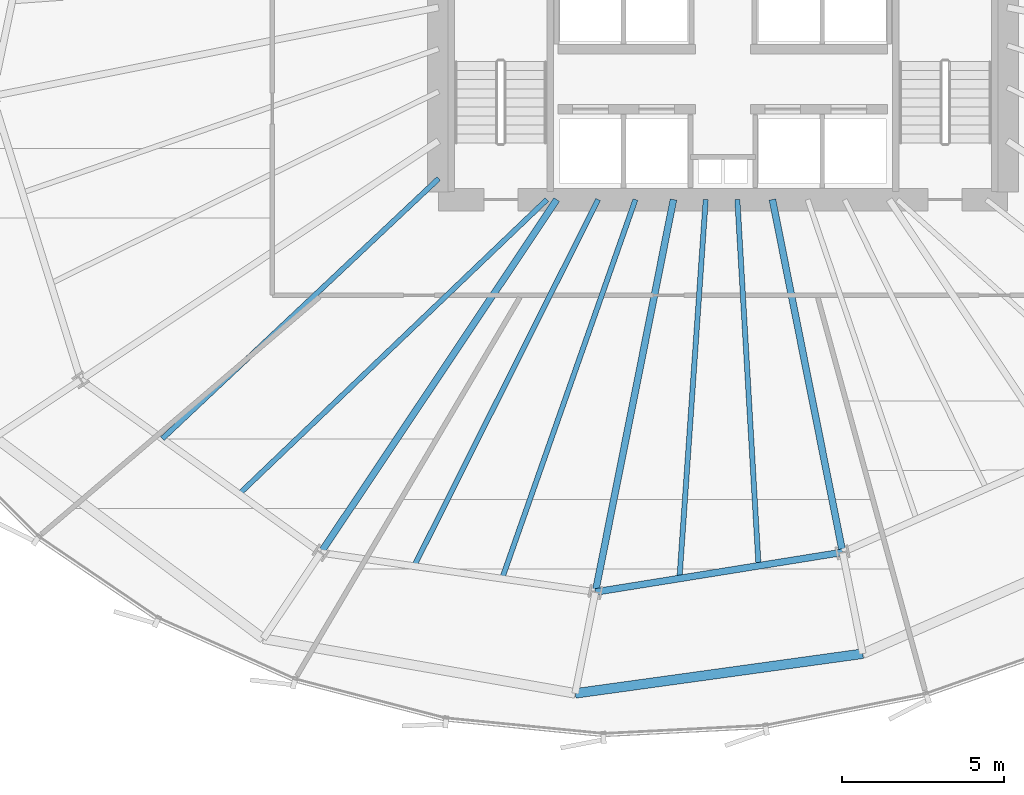
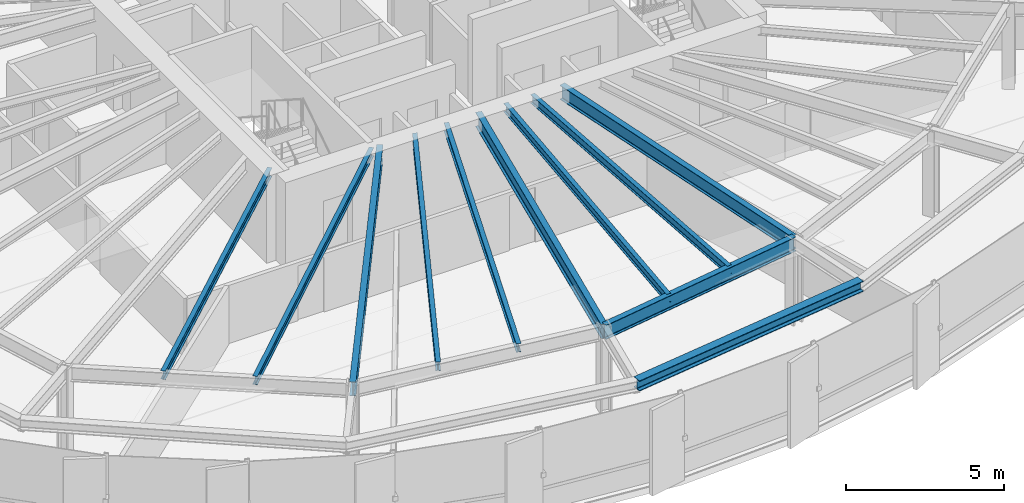
# One storey, part 6 of 35: 11 beams.
"""IFC4 building model written with IfcOpenShell, lengths in metres."""

import ifcopenshell
import ifcopenshell.guid

model = None  # the IFC model being written
_history = None  # IfcOwnerHistory: only IFC2X3 demands one
_inside = {}  # id of a spatial element -> (the spatial element, [elements in it])
_under = {}  # id of a project, library or spatial element -> (it, [spatial elements below it])
_declared = {}  # id of a project -> (the project, [libraries it declares])
_typed = {}  # id of a type object -> (the type object, [elements of that type])
_made_of = {}  # id of a material, layer set ... -> (it, [elements and type objects made of it])


def new_model(schema):
    """Start an empty IFC model of exactly this schema.

    Asked for "IFC4X3", IfcOpenShell would pick the latest addendum, in which some entities
    have other attributes; the version numbers below select the first issue.
    IFC2X3 requires an IfcOwnerHistory on every rooted entity: one is made here for all.
    """
    global model, _history
    if schema == "IFC4X3":
        model = ifcopenshell.file(schema_version=(4, 3, 0, 0))
    else:
        model = ifcopenshell.file(schema=schema)
    _inside.clear()
    _under.clear()
    _declared.clear()
    _typed.clear()
    _made_of.clear()
    _history = None
    if model.schema == "IFC2X3":
        org = make("IfcOrganization", Name="unknown")
        user = make(
            "IfcPersonAndOrganization",
            ThePerson=make("IfcPerson", FamilyName="unknown"),
            TheOrganization=org,
        )
        app = make(
            "IfcApplication",
            ApplicationDeveloper=org,
            Version="unknown",
            ApplicationFullName="unknown",
            ApplicationIdentifier="unknown",
        )
        _history = make(
            "IfcOwnerHistory",
            OwningUser=user,
            OwningApplication=app,
            ChangeAction="ADDED",
            CreationDate=0,
        )
    return model


def make(cls, **values):
    """One entity of the class cls with the attributes given. An attribute that is None is left unset."""
    return model.create_entity(
        cls, **{name: value for name, value in values.items() if value is not None}
    )


def rooted(cls, **values):
    """An entity with a GlobalId (a new one), such as an element, a storey or a relation."""
    return make(cls, GlobalId=ifcopenshell.guid.new(), OwnerHistory=_history, **values)


def si_unit(unit_type, name, prefix=None):
    """IfcSIUnit, for example si_unit("LENGTHUNIT", "METRE", prefix="MILLI")."""
    return make("IfcSIUnit", UnitType=unit_type, Prefix=prefix, Name=name)


def assignment(units):
    """IfcUnitAssignment: the units of a project."""
    return None if units is None else make("IfcUnitAssignment", Units=units)


def point(xyz):
    """IfcCartesianPoint."""
    return None if xyz is None else make("IfcCartesianPoint", Coordinates=xyz)


def direction(xyz):
    """IfcDirection."""
    return None if xyz is None else make("IfcDirection", DirectionRatios=xyz)


def frame(location, z_axis=None, x_axis=None):
    """IfcAxis2Placement3D, a coordinate frame: its origin and axes. An axis left out is left unset."""
    return make(
        "IfcAxis2Placement3D",
        Location=point(location),
        Axis=direction(z_axis),
        RefDirection=direction(x_axis),
    )


def frame_2d(location, x_axis=None):
    """IfcAxis2Placement2D, a coordinate frame in the plane: its origin and x axis."""
    return make(
        "IfcAxis2Placement2D", Location=point(location), RefDirection=direction(x_axis)
    )


def origin():
    """The frame at (0, 0, 0) with its axes left unset."""
    return frame((0.0, 0.0, 0.0))


def origin_2d():
    """The frame at (0, 0) in the plane with its x axis left unset."""
    return frame_2d((0.0, 0.0))


def place(relative_to, where):
    """IfcLocalPlacement: puts the frame where relative to a parent placement (None: the world)."""
    return make(
        "IfcLocalPlacement", PlacementRelTo=relative_to, RelativePlacement=where
    )


def context(
    kind, dimensions, precision=None, world=None, true_north=None, identifier=None
):
    """IfcGeometricRepresentationContext, for example the 3D "Model" context."""
    return make(
        "IfcGeometricRepresentationContext",
        ContextIdentifier=identifier,
        ContextType=kind,
        CoordinateSpaceDimension=dimensions,
        Precision=precision,
        WorldCoordinateSystem=world,
        TrueNorth=true_north,
    )


def subcontext(parent, identifier, kind, view, scale=None):
    """IfcGeometricRepresentationSubContext, for example "Body" below "Model"."""
    return make(
        "IfcGeometricRepresentationSubContext",
        ContextIdentifier=identifier,
        ContextType=kind,
        ParentContext=parent,
        TargetScale=scale,
        TargetView=view,
    )


def project(units=None, contexts=None):
    """IfcProject with its units and contexts."""
    return rooted(
        "IfcProject",
        Name="project",
        RepresentationContexts=contexts,
        UnitsInContext=assignment(units),
    )


def spatial(cls, under=None, at=None, **own):
    """A site, building, storey or space (cls), placed at a placement, below another one or the project."""
    s = rooted(cls, ObjectPlacement=at, **own)
    if under is not None:
        _under.setdefault(under.id(), (under, []))[1].append(s)
    return s


def profile(cls, at=None, kind="AREA", **sizes):
    """A parametric profile (cls). Its sizes go by their IFC names, for example OverallWidth=200.0."""
    return make(cls, ProfileType=kind, Position=at, **sizes)


def i_section(**sizes):
    """IfcIShapeProfileDef."""
    return profile("IfcIShapeProfileDef", **sizes)


def extrude(swept, where, along, depth):
    """IfcExtrudedAreaSolid: the profile swept, set in the frame where, extruded along a direction by depth."""
    return make(
        "IfcExtrudedAreaSolid",
        SweptArea=swept,
        Position=where,
        ExtrudedDirection=direction(along),
        Depth=depth,
    )


def shape(context_of_items, identifier, shape_type, items):
    """IfcShapeRepresentation: the items that make up one representation, for example the "Body"."""
    return make(
        "IfcShapeRepresentation",
        ContextOfItems=context_of_items,
        RepresentationIdentifier=identifier,
        RepresentationType=shape_type,
        Items=items,
    )


def source(mapping_origin, context_of_items, identifier, shape_type, items):
    """IfcRepresentationMap: a shape defined once, which mapped items show again and again."""
    return make(
        "IfcRepresentationMap",
        MappingOrigin=mapping_origin,
        MappedRepresentation=shape(context_of_items, identifier, shape_type, items),
    )


def transform(
    local_origin,
    x_axis=None,
    y_axis=None,
    z_axis=None,
    scale=None,
    scale2=None,
    scale3=None,
    uniform=True,
):
    """IfcCartesianTransformationOperator3D, or its non-uniform kind. x_axis, y_axis, z_axis: its Axis1, 2, 3."""
    if uniform:
        return make(
            "IfcCartesianTransformationOperator3D",
            Axis1=direction(x_axis),
            Axis2=direction(y_axis),
            LocalOrigin=point(local_origin),
            Scale=scale,
            Axis3=direction(z_axis),
        )
    return make(
        "IfcCartesianTransformationOperator3DnonUniform",
        Axis1=direction(x_axis),
        Axis2=direction(y_axis),
        LocalOrigin=point(local_origin),
        Scale=scale,
        Axis3=direction(z_axis),
        Scale2=scale2,
        Scale3=scale3,
    )


def mapped(mapping_source, mapping_target):
    """IfcMappedItem: shows the shape of a source again, moved by a transform."""
    return make(
        "IfcMappedItem", MappingSource=mapping_source, MappingTarget=mapping_target
    )


def material(Name=None, Category=None):
    """IfcMaterial."""
    return make("IfcMaterial", Name=Name, Category=Category)


def material_profile(
    of_material, cross_section, Name=None, Category=None, Priority=None
):
    """IfcMaterialProfile: a cross section and its material."""
    return make(
        "IfcMaterialProfile",
        Name=Name,
        Material=of_material,
        Profile=cross_section,
        Priority=Priority,
        Category=Category,
    )


def profile_set(profiles, Name=None, composite=None):
    """IfcMaterialProfileSet."""
    return make(
        "IfcMaterialProfileSet",
        Name=Name,
        MaterialProfiles=profiles,
        CompositeProfile=composite,
    )


def made_of(thing, what):
    """Note that an element or type object is made of a material, layer set ...; save() writes the relation."""
    if what is not None:
        _made_of.setdefault(what.id(), (what, []))[1].append(thing)
    return thing


def type_object(cls, material=None, **own):
    """A type object (cls), such as IfcWallType, which elements share."""
    return made_of(rooted(cls, **own), material)


def element(
    cls,
    number,
    at=None,
    inside=None,
    cuts=None,
    type_object=None,
    material=None,
    context=None,
    identifier="Body",
    shape_type=None,
    held_by="IfcProductDefinitionShape",
    body=None,
    shapes=None,
    **own,
):
    """One element of the class cls, such as IfcWall. Its Tag is "e" and its number.

    at: its placement. inside: the storey or other place that contains it. cuts: it is an
    opening in that element (IfcRelVoidsElement). A single representation is given by context,
    identifier, shape_type and body (its items); several are given by shapes. held_by: the class
    of the entity that holds the representations. save() writes the other relations.
    """
    e = rooted(cls, Tag="e%d" % number, ObjectPlacement=at, **own)
    if body is not None:
        shapes = [shape(context, identifier, shape_type, body)]
    if shapes is not None:
        e.Representation = make(held_by, Representations=shapes)
    if inside is not None:
        _inside.setdefault(inside.id(), (inside, []))[1].append(e)
    if cuts is not None:
        rooted(
            "IfcRelVoidsElement", RelatingBuildingElement=cuts, RelatedOpeningElement=e
        )
    if type_object is not None:
        _typed.setdefault(type_object.id(), (type_object, []))[1].append(e)
    return made_of(e, material)


def aggregate(whole, parts):
    """IfcRelAggregates: a whole, such as a stair, and the parts it consists of."""
    return rooted("IfcRelAggregates", RelatingObject=whole, RelatedObjects=parts)


def save(model, path):
    """Write the relations noted so far, then the file.

    IfcRelAggregates (storeys below a building ...), IfcRelContainedInSpatialStructure (elements
    in a storey), IfcRelDefinesByType, IfcRelAssociatesMaterial and IfcRelDeclares: one each for
    every whole, place, type object, material and project.
    """
    for whole, parts in _under.values():
        aggregate(whole, parts)
    for where, things in _inside.values():
        rooted(
            "IfcRelContainedInSpatialStructure",
            RelatedElements=things,
            RelatingStructure=where,
        )
    for kind, things in _typed.values():
        rooted("IfcRelDefinesByType", RelatedObjects=things, RelatingType=kind)
    for what, things in _made_of.values():
        rooted("IfcRelAssociatesMaterial", RelatedObjects=things, RelatingMaterial=what)
    for by, libraries in _declared.values():
        rooted("IfcRelDeclares", RelatingContext=by, RelatedDefinitions=libraries)
    model.write(path)


model = new_model("IFC4")

# Units and contexts
model_context = context("Model", 3, precision=1e-05, world=origin(), true_north=direction((0.0, 1.0)))
body_context = subcontext(model_context, "Body", "Model", "MODEL_VIEW")
ifc_project = project(units=[si_unit("LENGTHUNIT", "METRE"), si_unit("AREAUNIT", "SQUARE_METRE"), si_unit("VOLUMEUNIT", "CUBIC_METRE"), si_unit("PLANEANGLEUNIT", "RADIAN"), si_unit("MASSUNIT", "GRAM", prefix="KILO"), si_unit("THERMODYNAMICTEMPERATUREUNIT", "KELVIN")], contexts=[model_context])

# Site, building, storey
site_placement = place(None, origin())
site = spatial("IfcSite", under=ifc_project, at=site_placement, CompositionType="ELEMENT")
building_placement = place(site_placement, origin())
building = spatial("IfcBuilding", under=site, at=building_placement, Name="Kethvar Cultural Tower", CompositionType="ELEMENT")
storey_placement = place(building_placement, frame((0.0, 0.0, 96.39990234375)))
storey = spatial("IfcBuildingStorey", under=building, at=storey_placement, Name="L23", CompositionType="ELEMENT", Elevation=96.39990234375)

# Beams
ifc_material = material(Name="Steel S355J2", Category="steel")
ifc_material_profile_1 = material_profile(ifc_material, i_section(OverallWidth=0.2099609375, OverallDepth=0.550048828125, WebThickness=0.010986328125, FlangeThickness=0.01708984375, FilletRadius=0.02392578125, at=origin_2d()), Name="Steel S355J2 — IPE550")
ifc_profile_set_1 = profile_set([ifc_material_profile_1], Name="Steel S355J2 — IPE550")
beam_type_1 = type_object("IfcBeamType", Name="BM-IPE550", PredefinedType="BEAM", material=ifc_profile_set_1)
shared_shape_1 = source(origin(), body_context, "Body", "SweptSolid", [
    extrude(i_section(OverallWidth=0.2099609375, OverallDepth=0.550048828125, WebThickness=0.010986328125, FlangeThickness=0.01708984375, FilletRadius=0.02392578125, at=origin_2d()), origin(), (0.0, 0.0, 1.0), 13.147216796875),
])
beam_1_placement = place(storey_placement, frame((41.655029296875, 20.10009765625, 3.072998046875), z_axis=(-0.555565525446, -0.831472757783, 0.0), x_axis=(0.831472757783, -0.555565525446, 0.0)))
element("IfcBeam", 1, at=beam_1_placement, inside=storey, type_object=beam_type_1, Name="L23 Primary Radial Beam RB-11", PredefinedType="BEAM", context=body_context, shape_type="MappedRepresentation", body=[
    mapped(shared_shape_1, transform((0.0, 0.0, 0.0), scale=1.0)),
])
shared_shape_2 = source(origin(), body_context, "Body", "SweptSolid", [
    extrude(i_section(OverallWidth=0.2099609375, OverallDepth=0.550048828125, WebThickness=0.010986328125, FlangeThickness=0.01708984375, FilletRadius=0.02392578125, at=origin_2d()), origin(), (0.0, 0.0, 1.0), 12.384521484375),
])
beam_2_placement = place(storey_placement, frame((45.268310546875, 20.10009765625, 3.072998046875), z_axis=(-0.195084858678, -0.980786367113, 0.0), x_axis=(0.980786367113, -0.195084858678, 0.0)))
element("IfcBeam", 2, at=beam_2_placement, inside=storey, type_object=beam_type_1, Name="L23 Primary Radial Beam RB-12", PredefinedType="BEAM", context=body_context, shape_type="MappedRepresentation", body=[
    mapped(shared_shape_2, transform((0.0, 0.0, 0.0), scale=1.0)),
])
shared_shape_3 = source(origin(), body_context, "Body", "SweptSolid", [
    extrude(i_section(OverallWidth=0.2099609375, OverallDepth=0.550048828125, WebThickness=0.010986328125, FlangeThickness=0.01708984375, FilletRadius=0.02392578125, at=origin_2d()), origin(), (0.0, 0.0, 1.0), 11.131591796875),
])
beam_3_placement = place(storey_placement, frame((48.33154296875, 20.10009765625, 3.072998046875), z_axis=(0.195107998266, -0.980781764213, 0.0), x_axis=(0.980781764213, 0.195107998266, 0.0)))
element("IfcBeam", 3, at=beam_3_placement, inside=storey, type_object=beam_type_1, Name="L23 Primary Radial Beam RB-13", PredefinedType="BEAM", context=body_context, shape_type="MappedRepresentation", body=[
    mapped(shared_shape_3, transform((0.0, 0.0, 0.0), scale=1.0)),
])
ifc_material_profile_2 = material_profile(ifc_material, i_section(OverallWidth=0.159912109375, OverallDepth=0.330078125, WebThickness=0.007568359375, FlangeThickness=0.011474609375, FilletRadius=0.01806640625, at=origin_2d()), Name="Steel S355J2 — IPE330")
ifc_profile_set_2 = profile_set([ifc_material_profile_2], Name="Steel S355J2 — IPE330")
beam_type_2 = type_object("IfcBeamType", Name="BM-J330", PredefinedType="JOIST", material=ifc_profile_set_2)
shared_shape_4 = source(origin(), body_context, "Body", "SweptSolid", [
    extrude(i_section(OverallWidth=0.159912109375, OverallDepth=0.330078125, WebThickness=0.007568359375, FlangeThickness=0.011474609375, FilletRadius=0.01806640625, at=origin_2d()), origin(), (0.0, 0.0, 1.0), 11.74658203125),
])
beam_4_placement = place(storey_placement, frame((38.0, 20.75, 3.18310546875), z_axis=(-0.728129818661, -0.685439251266, 0.0), x_axis=(0.685439251266, -0.728129818661, 0.0)))
element("IfcBeam", 4, at=beam_4_placement, inside=storey, type_object=beam_type_2, Name="L23 Composite Floor Joist J-10A", PredefinedType="JOIST", context=body_context, shape_type="MappedRepresentation", body=[
    mapped(shared_shape_4, transform((0.0, 0.0, 0.0), scale=1.0)),
])
shared_shape_5 = source(origin(), body_context, "Body", "SweptSolid", [
    extrude(i_section(OverallWidth=0.159912109375, OverallDepth=0.330078125, WebThickness=0.007568359375, FlangeThickness=0.011474609375, FilletRadius=0.01806640625, at=origin_2d()), origin(), (0.0, 0.0, 1.0), 13.1826171875),
])
beam_5_placement = place(storey_placement, frame((41.35009765625, 20.10009765625, 3.18310546875), z_axis=(-0.722573880181, -0.691293705801, 0.0), x_axis=(0.691293705801, -0.722573880181, 0.0)))
element("IfcBeam", 5, at=beam_5_placement, inside=storey, type_object=beam_type_2, Name="L23 Composite Floor Joist J-10B", PredefinedType="JOIST", context=body_context, shape_type="MappedRepresentation", body=[
    mapped(shared_shape_5, transform((0.0, 0.0, 0.0), scale=1.0)),
])
shared_shape_6 = source(origin(), body_context, "Body", "SweptSolid", [
    extrude(i_section(OverallWidth=0.159912109375, OverallDepth=0.330078125, WebThickness=0.007568359375, FlangeThickness=0.011474609375, FilletRadius=0.01806640625, at=origin_2d()), origin(), (0.0, 0.0, 1.0), 12.693603515625),
])
beam_6_placement = place(storey_placement, frame((42.935302734375, 20.10009765625, 3.18310546875), z_axis=(-0.448582495233, -0.893741430712, 0.0), x_axis=(0.893741430712, -0.448582495233, 0.0)))
element("IfcBeam", 6, at=beam_6_placement, inside=storey, type_object=beam_type_2, Name="L23 Composite Floor Joist J-11A", PredefinedType="JOIST", context=body_context, shape_type="MappedRepresentation", body=[
    mapped(shared_shape_6, transform((0.0, 0.0, 0.0), scale=1.0)),
])
shared_shape_7 = source(origin(), body_context, "Body", "SweptSolid", [
    extrude(i_section(OverallWidth=0.159912109375, OverallDepth=0.330078125, WebThickness=0.007568359375, FlangeThickness=0.011474609375, FilletRadius=0.01806640625, at=origin_2d()), origin(), (0.0, 0.0, 1.0), 12.4384765625),
])
beam_7_placement = place(storey_placement, frame((44.090576171875, 20.10009765625, 3.18310546875), z_axis=(-0.331923676994, -0.943306245421, 0.0), x_axis=(0.943306245421, -0.331923676994, 0.0)))
element("IfcBeam", 7, at=beam_7_placement, inside=storey, type_object=beam_type_2, Name="L23 Composite Floor Joist J-11B", PredefinedType="JOIST", context=body_context, shape_type="MappedRepresentation", body=[
    mapped(shared_shape_7, transform((0.0, 0.0, 0.0), scale=1.0)),
])
shared_shape_8 = source(origin(), body_context, "Body", "SweptSolid", [
    extrude(i_section(OverallWidth=0.2099609375, OverallDepth=0.550048828125, WebThickness=0.010986328125, FlangeThickness=0.01708984375, FilletRadius=0.02392578125, at=origin_2d()), origin(), (0.0, 0.0, 1.0), 7.749267578125),
])
beam_8_placement = place(storey_placement, frame((42.852294921875, 7.95361328125, 3.072998046875), z_axis=(0.987348257569, 0.158566762831, 0.0), x_axis=(-0.158566762831, 0.987348257569, 0.0)))
element("IfcBeam", 8, at=beam_8_placement, inside=storey, type_object=beam_type_1, Name="L23 Column Ring Tie Beam CR-12", PredefinedType="BEAM", context=body_context, shape_type="MappedRepresentation", body=[
    mapped(shared_shape_8, transform((0.0, 0.0, 0.0), scale=1.0)),
])
ifc_material_profile_3 = material_profile(ifc_material, i_section(OverallWidth=0.300048828125, OverallDepth=0.39990234375, WebThickness=0.013427734375, FlangeThickness=0.02392578125, FilletRadius=0.027099609375, at=origin_2d()), Name="Steel S355J2 — HEB400")
ifc_profile_set_3 = profile_set([ifc_material_profile_3], Name="Steel S355J2 — HEB400")
beam_type_3 = type_object("IfcBeamType", Name="BM-SP400", PredefinedType="SPANDREL", material=ifc_profile_set_3)
shared_shape_9 = source(origin(), body_context, "Body", "SweptSolid", [
    extrude(i_section(OverallWidth=0.300048828125, OverallDepth=0.39990234375, WebThickness=0.013427734375, FlangeThickness=0.02392578125, FilletRadius=0.027099609375, at=origin_2d()), origin(), (0.0, 0.0, 1.0), 8.984130859375),
])
beam_9_placement = place(storey_placement, frame((42.22802734375, 4.81494140625, 3.148193359375), z_axis=(0.990602728928, 0.136770733127, 0.0), x_axis=(-0.136770733127, 0.990602728928, 0.0)))
element("IfcBeam", 9, at=beam_9_placement, inside=storey, type_object=beam_type_3, Name="L23 Perimeter Spandrel Beam SP-12", PredefinedType="SPANDREL", context=body_context, shape_type="MappedRepresentation", body=[
    mapped(shared_shape_9, transform((0.0, 0.0, 0.0), scale=1.0)),
])
shared_shape_10 = source(origin(), body_context, "Body", "SweptSolid", [
    extrude(i_section(OverallWidth=0.159912109375, OverallDepth=0.330078125, WebThickness=0.007568359375, FlangeThickness=0.011474609375, FilletRadius=0.01806640625, at=origin_2d()), origin(), (0.0, 0.0, 1.0), 11.7568359375),
])
beam_10_placement = place(storey_placement, frame((46.266357421875, 20.10009765625, 3.18310546875), z_axis=(-0.069129203877, -0.997607715072, 0.0), x_axis=(0.997607715072, -0.069129203877, 0.0)))
element("IfcBeam", 10, at=beam_10_placement, inside=storey, type_object=beam_type_2, Name="L23 Composite Floor Joist J-12A", PredefinedType="JOIST", context=body_context, shape_type="MappedRepresentation", body=[
    mapped(shared_shape_10, transform((0.0, 0.0, 0.0), scale=1.0)),
])
shared_shape_11 = source(origin(), body_context, "Body", "SweptSolid", [
    extrude(i_section(OverallWidth=0.159912109375, OverallDepth=0.330078125, WebThickness=0.007568359375, FlangeThickness=0.011474609375, FilletRadius=0.01806640625, at=origin_2d()), origin(), (0.0, 0.0, 1.0), 11.354736328125),
])
beam_11_placement = place(storey_placement, frame((47.245849609375, 20.10009765625, 3.18310546875), z_axis=(0.057795585741, -0.998328438075, 0.0), x_axis=(0.998328438075, 0.057795585741, 0.0)))
element("IfcBeam", 11, at=beam_11_placement, inside=storey, type_object=beam_type_2, Name="L23 Composite Floor Joist J-12B", PredefinedType="JOIST", context=body_context, shape_type="MappedRepresentation", body=[
    mapped(shared_shape_11, transform((0.0, 0.0, 0.0), scale=1.0)),
])

save(model, "model.ifc")
